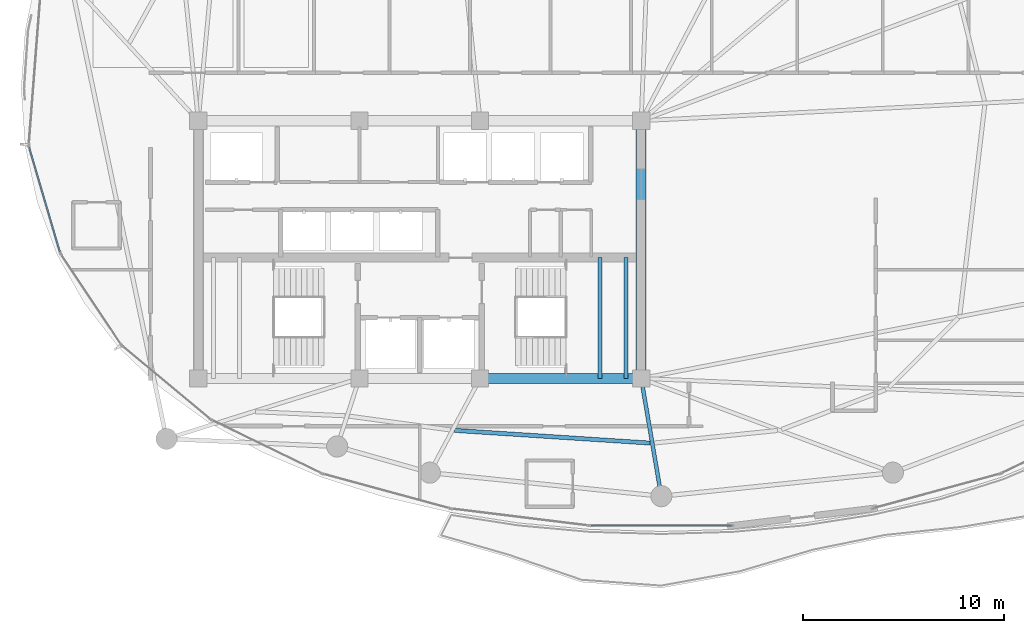
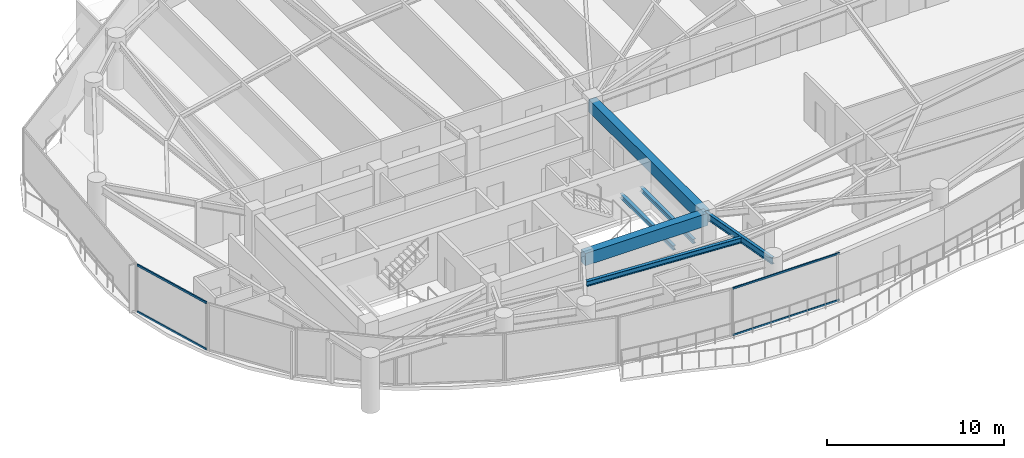
# One storey, part 7 of 31: 6 beams, 4 members, 2 elements without a shape of their own.
"""IFC4 building model written with IfcOpenShell, lengths in metres."""

import ifcopenshell
import ifcopenshell.guid

model = None  # the IFC model being written
_history = None  # IfcOwnerHistory: only IFC2X3 demands one
_inside = {}  # id of a spatial element -> (the spatial element, [elements in it])
_under = {}  # id of a project, library or spatial element -> (it, [spatial elements below it])
_declared = {}  # id of a project -> (the project, [libraries it declares])
_typed = {}  # id of a type object -> (the type object, [elements of that type])
_made_of = {}  # id of a material, layer set ... -> (it, [elements and type objects made of it])


def new_model(schema):
    """Start an empty IFC model of exactly this schema.

    Asked for "IFC4X3", IfcOpenShell would pick the latest addendum, in which some entities
    have other attributes; the version numbers below select the first issue.
    IFC2X3 requires an IfcOwnerHistory on every rooted entity: one is made here for all.
    """
    global model, _history
    if schema == "IFC4X3":
        model = ifcopenshell.file(schema_version=(4, 3, 0, 0))
    else:
        model = ifcopenshell.file(schema=schema)
    _inside.clear()
    _under.clear()
    _declared.clear()
    _typed.clear()
    _made_of.clear()
    _history = None
    if model.schema == "IFC2X3":
        org = make("IfcOrganization", Name="unknown")
        user = make(
            "IfcPersonAndOrganization",
            ThePerson=make("IfcPerson", FamilyName="unknown"),
            TheOrganization=org,
        )
        app = make(
            "IfcApplication",
            ApplicationDeveloper=org,
            Version="unknown",
            ApplicationFullName="unknown",
            ApplicationIdentifier="unknown",
        )
        _history = make(
            "IfcOwnerHistory",
            OwningUser=user,
            OwningApplication=app,
            ChangeAction="ADDED",
            CreationDate=0,
        )
    return model


def make(cls, **values):
    """One entity of the class cls with the attributes given. An attribute that is None is left unset."""
    return model.create_entity(
        cls, **{name: value for name, value in values.items() if value is not None}
    )


def rooted(cls, **values):
    """An entity with a GlobalId (a new one), such as an element, a storey or a relation."""
    return make(cls, GlobalId=ifcopenshell.guid.new(), OwnerHistory=_history, **values)


def si_unit(unit_type, name, prefix=None):
    """IfcSIUnit, for example si_unit("LENGTHUNIT", "METRE", prefix="MILLI")."""
    return make("IfcSIUnit", UnitType=unit_type, Prefix=prefix, Name=name)


def assignment(units):
    """IfcUnitAssignment: the units of a project."""
    return None if units is None else make("IfcUnitAssignment", Units=units)


def point(xyz):
    """IfcCartesianPoint."""
    return None if xyz is None else make("IfcCartesianPoint", Coordinates=xyz)


def direction(xyz):
    """IfcDirection."""
    return None if xyz is None else make("IfcDirection", DirectionRatios=xyz)


def frame(location, z_axis=None, x_axis=None):
    """IfcAxis2Placement3D, a coordinate frame: its origin and axes. An axis left out is left unset."""
    return make(
        "IfcAxis2Placement3D",
        Location=point(location),
        Axis=direction(z_axis),
        RefDirection=direction(x_axis),
    )


def frame_2d(location, x_axis=None):
    """IfcAxis2Placement2D, a coordinate frame in the plane: its origin and x axis."""
    return make(
        "IfcAxis2Placement2D", Location=point(location), RefDirection=direction(x_axis)
    )


def origin():
    """The frame at (0, 0, 0) with its axes left unset."""
    return frame((0.0, 0.0, 0.0))


def origin_2d():
    """The frame at (0, 0) in the plane with its x axis left unset."""
    return frame_2d((0.0, 0.0))


def place(relative_to, where):
    """IfcLocalPlacement: puts the frame where relative to a parent placement (None: the world)."""
    return make(
        "IfcLocalPlacement", PlacementRelTo=relative_to, RelativePlacement=where
    )


def context(
    kind, dimensions, precision=None, world=None, true_north=None, identifier=None
):
    """IfcGeometricRepresentationContext, for example the 3D "Model" context."""
    return make(
        "IfcGeometricRepresentationContext",
        ContextIdentifier=identifier,
        ContextType=kind,
        CoordinateSpaceDimension=dimensions,
        Precision=precision,
        WorldCoordinateSystem=world,
        TrueNorth=true_north,
    )


def subcontext(parent, identifier, kind, view, scale=None):
    """IfcGeometricRepresentationSubContext, for example "Body" below "Model"."""
    return make(
        "IfcGeometricRepresentationSubContext",
        ContextIdentifier=identifier,
        ContextType=kind,
        ParentContext=parent,
        TargetScale=scale,
        TargetView=view,
    )


def project(units=None, contexts=None):
    """IfcProject with its units and contexts."""
    return rooted(
        "IfcProject",
        Name="project",
        RepresentationContexts=contexts,
        UnitsInContext=assignment(units),
    )


def spatial(cls, under=None, at=None, **own):
    """A site, building, storey or space (cls), placed at a placement, below another one or the project."""
    s = rooted(cls, ObjectPlacement=at, **own)
    if under is not None:
        _under.setdefault(under.id(), (under, []))[1].append(s)
    return s


def profile(cls, at=None, kind="AREA", **sizes):
    """A parametric profile (cls). Its sizes go by their IFC names, for example OverallWidth=200.0."""
    return make(cls, ProfileType=kind, Position=at, **sizes)


def rectangle(**sizes):
    """IfcRectangleProfileDef."""
    return profile("IfcRectangleProfileDef", **sizes)


def hollow_rectangle(**sizes):
    """IfcRectangleHollowProfileDef."""
    return profile("IfcRectangleHollowProfileDef", **sizes)


def i_section(**sizes):
    """IfcIShapeProfileDef."""
    return profile("IfcIShapeProfileDef", **sizes)


def extrude(swept, where, along, depth):
    """IfcExtrudedAreaSolid: the profile swept, set in the frame where, extruded along a direction by depth."""
    return make(
        "IfcExtrudedAreaSolid",
        SweptArea=swept,
        Position=where,
        ExtrudedDirection=direction(along),
        Depth=depth,
    )


def shape(context_of_items, identifier, shape_type, items):
    """IfcShapeRepresentation: the items that make up one representation, for example the "Body"."""
    return make(
        "IfcShapeRepresentation",
        ContextOfItems=context_of_items,
        RepresentationIdentifier=identifier,
        RepresentationType=shape_type,
        Items=items,
    )


def material(Name=None, Category=None):
    """IfcMaterial."""
    return make("IfcMaterial", Name=Name, Category=Category)


def layer(
    of_material, thickness, ventilated=None, Name=None, Category=None, Priority=None
):
    """IfcMaterialLayer: one layer of a wall or slab, of a material (None: an air gap)."""
    return make(
        "IfcMaterialLayer",
        Material=of_material,
        LayerThickness=thickness,
        IsVentilated=ventilated,
        Name=Name,
        Category=Category,
        Priority=Priority,
    )


def layer_set(layers, Name=None):
    """IfcMaterialLayerSet."""
    return make("IfcMaterialLayerSet", MaterialLayers=layers, LayerSetName=Name)


def material_profile(
    of_material, cross_section, Name=None, Category=None, Priority=None
):
    """IfcMaterialProfile: a cross section and its material."""
    return make(
        "IfcMaterialProfile",
        Name=Name,
        Material=of_material,
        Profile=cross_section,
        Priority=Priority,
        Category=Category,
    )


def profile_set(profiles, Name=None, composite=None):
    """IfcMaterialProfileSet."""
    return make(
        "IfcMaterialProfileSet",
        Name=Name,
        MaterialProfiles=profiles,
        CompositeProfile=composite,
    )


def made_of(thing, what):
    """Note that an element or type object is made of a material, layer set ...; save() writes the relation."""
    if what is not None:
        _made_of.setdefault(what.id(), (what, []))[1].append(thing)
    return thing


def type_object(cls, material=None, **own):
    """A type object (cls), such as IfcWallType, which elements share."""
    return made_of(rooted(cls, **own), material)


def element(
    cls,
    number,
    at=None,
    inside=None,
    cuts=None,
    type_object=None,
    material=None,
    context=None,
    identifier="Body",
    shape_type=None,
    held_by="IfcProductDefinitionShape",
    body=None,
    shapes=None,
    **own,
):
    """One element of the class cls, such as IfcWall. Its Tag is "e" and its number.

    at: its placement. inside: the storey or other place that contains it. cuts: it is an
    opening in that element (IfcRelVoidsElement). A single representation is given by context,
    identifier, shape_type and body (its items); several are given by shapes. held_by: the class
    of the entity that holds the representations. save() writes the other relations.
    """
    e = rooted(cls, Tag="e%d" % number, ObjectPlacement=at, **own)
    if body is not None:
        shapes = [shape(context, identifier, shape_type, body)]
    if shapes is not None:
        e.Representation = make(held_by, Representations=shapes)
    if inside is not None:
        _inside.setdefault(inside.id(), (inside, []))[1].append(e)
    if cuts is not None:
        rooted(
            "IfcRelVoidsElement", RelatingBuildingElement=cuts, RelatedOpeningElement=e
        )
    if type_object is not None:
        _typed.setdefault(type_object.id(), (type_object, []))[1].append(e)
    return made_of(e, material)


def aggregate(whole, parts):
    """IfcRelAggregates: a whole, such as a stair, and the parts it consists of."""
    return rooted("IfcRelAggregates", RelatingObject=whole, RelatedObjects=parts)


def save(model, path):
    """Write the relations noted so far, then the file.

    IfcRelAggregates (storeys below a building ...), IfcRelContainedInSpatialStructure (elements
    in a storey), IfcRelDefinesByType, IfcRelAssociatesMaterial and IfcRelDeclares: one each for
    every whole, place, type object, material and project.
    """
    for whole, parts in _under.values():
        aggregate(whole, parts)
    for where, things in _inside.values():
        rooted(
            "IfcRelContainedInSpatialStructure",
            RelatedElements=things,
            RelatingStructure=where,
        )
    for kind, things in _typed.values():
        rooted("IfcRelDefinesByType", RelatedObjects=things, RelatingType=kind)
    for what, things in _made_of.values():
        rooted("IfcRelAssociatesMaterial", RelatedObjects=things, RelatingMaterial=what)
    for by, libraries in _declared.values():
        rooted("IfcRelDeclares", RelatingContext=by, RelatedDefinitions=libraries)
    model.write(path)


model = new_model("IFC4")

# Units and contexts
model_context = context("Model", 3, precision=1e-05, world=origin(), true_north=direction((0.0, 1.0)))
body_context = subcontext(model_context, "Body", "Model", "MODEL_VIEW")
ifc_project = project(units=[si_unit("LENGTHUNIT", "METRE"), si_unit("AREAUNIT", "SQUARE_METRE"), si_unit("VOLUMEUNIT", "CUBIC_METRE"), si_unit("PLANEANGLEUNIT", "RADIAN"), si_unit("MASSUNIT", "GRAM", prefix="KILO")], contexts=[model_context])

# Site, building, storey
site_placement = place(None, origin())
site = spatial("IfcSite", under=ifc_project, at=site_placement, CompositionType="ELEMENT")
building_placement = place(site_placement, origin())
building = spatial("IfcBuilding", under=site, at=building_placement, Name="Kazevale Care Tower and Concert Hall", CompositionType="ELEMENT")
storey_placement = place(building_placement, frame((0.0, 0.0, 187.199951171875)))
storey = spatial("IfcBuildingStorey", under=building, at=storey_placement, Name="L49", CompositionType="ELEMENT", Elevation=187.199951171875)

# Curtain wall, members
ifc_material_1 = material(Name="Aluminium 6063-T6 and Low-E Glass", Category="aluminium")
ifc_layer_1 = layer(ifc_material_1, 0.179931640625)
ifc_layer_set_1 = layer_set([ifc_layer_1], Name="Aluminium 6063-T6 and Low-E Glass")
curtain_wall_type_1 = type_object("IfcCurtainWallType", Name="Waist & Upper Residential Curtain Wall CW-4", PredefinedType="NOTDEFINED", material=ifc_layer_set_1)
curtain_wall_1_placement = place(storey_placement, origin())
curtain_wall_1 = element("IfcCurtainWall", 1, at=curtain_wall_1_placement, inside=storey, type_object=curtain_wall_type_1, Name="cw:L49:f12", PredefinedType="NOTDEFINED")
ifc_material_2 = material(Name="Aluminium 6063-T6", Category="aluminium")
ifc_material_profile_1 = material_profile(ifc_material_2, hollow_rectangle(XDim=0.080078125, YDim=0.139892578125, WallThickness=0.00390625, at=origin_2d()), Name="ALU80x140x4")
ifc_profile_set_1 = profile_set([ifc_material_profile_1], Name="Aluminium 6063-T6")
member_type_1 = type_object("IfcMemberType", Name="CW-4 Transom ALU80x140x4", PredefinedType="USERDEFINED", material=ifc_profile_set_1)
member_1_placement = place(storey_placement, frame((15.12548828125, 29.897705078125, 0.0400390625), z_axis=(-0.282102705943, 0.95938421047, 0.0), x_axis=(-0.95938421047, -0.282102705943, 0.0)))
member_1 = element("IfcMember", 2, at=member_1_placement, type_object=member_type_1, Name="CW-4 transom 1.1", ObjectType="TRANSOM", PredefinedType="USERDEFINED", context=body_context, shape_type="SweptSolid", body=[
    extrude(hollow_rectangle(XDim=0.080078125, YDim=0.139892578125, WallThickness=0.00390625, at=origin_2d()), origin(), (0.0, 0.0, 1.0), 5.402099609375),
])
member_2_placement = place(storey_placement, frame((15.12548828125, 29.897705078125, 3.239990234375), z_axis=(-0.282102705943, 0.95938421047, 0.0), x_axis=(-0.95938421047, -0.282102705943, 0.0)))
member_2 = element("IfcMember", 3, at=member_2_placement, type_object=member_type_1, Name="CW-4 transom 1.2", ObjectType="TRANSOM", PredefinedType="USERDEFINED", context=body_context, shape_type="SweptSolid", body=[
    extrude(hollow_rectangle(XDim=0.080078125, YDim=0.139892578125, WallThickness=0.00390625, at=origin_2d()), origin(), (0.0, 0.0, 1.0), 5.402099609375),
])
aggregate(curtain_wall_1, [member_1, member_2])

ifc_layer_2 = layer(ifc_material_1, 0.179931640625)
ifc_layer_set_2 = layer_set([ifc_layer_2], Name="Aluminium 6063-T6 and Low-E Glass")
curtain_wall_type_2 = type_object("IfcCurtainWallType", Name="Sheltered Concave Balcony Curtain Wall CW-5", PredefinedType="NOTDEFINED", material=ifc_layer_set_2)
curtain_wall_2_placement = place(storey_placement, origin())
curtain_wall_2 = element("IfcCurtainWall", 4, at=curtain_wall_2_placement, inside=storey, type_object=curtain_wall_type_2, Name="cw:L49:f06", PredefinedType="NOTDEFINED")
ifc_material_profile_2 = material_profile(ifc_material_2, hollow_rectangle(XDim=0.074951171875, YDim=0.1201171875, WallThickness=0.00390625, at=origin_2d()), Name="ALU75x120x4")
ifc_profile_set_2 = profile_set([ifc_material_profile_2], Name="Aluminium 6063-T6")
member_type_2 = type_object("IfcMemberType", Name="CW-5 Transom ALU75x120x4", PredefinedType="USERDEFINED", material=ifc_profile_set_2)
member_3_placement = place(storey_placement, frame((48.47509765625, 16.284912109375, 0.03759765625), z_axis=(-1.0, 0.0, 0.0), x_axis=(0.0, -1.0, 0.0)))
member_3 = element("IfcMember", 5, at=member_3_placement, type_object=member_type_2, Name="CW-5 transom 1.1", ObjectType="TRANSOM", PredefinedType="USERDEFINED", context=body_context, shape_type="SweptSolid", body=[
    extrude(hollow_rectangle(XDim=0.074951171875, YDim=0.1201171875, WallThickness=0.00390625, at=origin_2d()), origin(), (0.0, 0.0, 1.0), 6.9501953125),
])
member_4_placement = place(storey_placement, frame((48.47509765625, 16.284912109375, 3.242431640625), z_axis=(-1.0, 0.0, 0.0), x_axis=(0.0, -1.0, 0.0)))
member_4 = element("IfcMember", 6, at=member_4_placement, type_object=member_type_2, Name="CW-5 transom 1.2", ObjectType="TRANSOM", PredefinedType="USERDEFINED", context=body_context, shape_type="SweptSolid", body=[
    extrude(hollow_rectangle(XDim=0.074951171875, YDim=0.1201171875, WallThickness=0.00390625, at=origin_2d()), origin(), (0.0, 0.0, 1.0), 6.9501953125),
])
aggregate(curtain_wall_2, [member_3, member_4])

# Beams
ifc_material_3 = material(Name="Concrete C60", Category="concrete")
ifc_material_profile_3 = material_profile(ifc_material_3, rectangle(XDim=0.5, YDim=0.85009765625, at=origin_2d()), Name="RC-B500x850")
ifc_profile_set_3 = profile_set([ifc_material_profile_3], Name="Concrete C60")
beam_type_1 = type_object("IfcBeamType", Name="Core Coupling Beam RC500x850", PredefinedType="LINTEL", material=ifc_profile_set_3)
beam_1_placement = place(storey_placement, frame((36.0, 23.60009765625, 2.85498046875), z_axis=(1.0, 0.0, 0.0), x_axis=(0.0, 1.0, 0.0)))
element("IfcBeam", 7, at=beam_1_placement, inside=storey, type_object=beam_type_1, Name="beam:L49:coretie:3", PredefinedType="LINTEL", context=body_context, shape_type="SweptSolid", body=[
    extrude(rectangle(XDim=0.5, YDim=0.85009765625, at=origin_2d()), origin(), (0.0, 0.0, 1.0), 8.0),
])
beam_2_placement = place(storey_placement, frame((44.0, 23.60009765625, 2.85498046875), z_axis=(0.0, 1.0, 0.0), x_axis=(-1.0, 0.0, 0.0)))
element("IfcBeam", 8, at=beam_2_placement, inside=storey, type_object=beam_type_1, Name="beam:L49:coretie:4", PredefinedType="LINTEL", context=body_context, shape_type="SweptSolid", body=[
    extrude(rectangle(XDim=0.5, YDim=0.85009765625, at=origin_2d()), origin(), (0.0, 0.0, 1.0), 12.7998046875),
])
ifc_material_4 = material(Name="Steel ASTM A572 Gr 50", Category="steel")
ifc_material_profile_4 = material_profile(ifc_material_4, i_section(OverallWidth=0.19091796875, OverallDepth=0.4599609375, WebThickness=0.010009765625, FlangeThickness=0.01611328125, at=origin_2d()), Name="W460x82")
ifc_profile_set_4 = profile_set([ifc_material_profile_4], Name="Steel ASTM A572 Gr 50")
beam_type_2 = type_object("IfcBeamType", Name="Radial Floor Beam W460x82", PredefinedType="BEAM", material=ifc_profile_set_4)
beam_3_placement = place(storey_placement, frame((44.0, 23.60009765625, 3.050048828125), z_axis=(0.168493389607, -0.985702783631, 0.0), x_axis=(0.985702783631, 0.168493389607, 0.0)))
element("IfcBeam", 9, at=beam_3_placement, inside=storey, type_object=beam_type_2, Name="beam:L49:rad:13", PredefinedType="BEAM", context=body_context, shape_type="SweptSolid", body=[
    extrude(i_section(OverallWidth=0.19091796875, OverallDepth=0.4599609375, WebThickness=0.010009765625, FlangeThickness=0.01611328125, at=origin_2d()), origin(), (0.0, 0.0, 1.0), 5.93505859375),
])
ifc_material_profile_5 = material_profile(ifc_material_4, i_section(OverallWidth=0.205078125, OverallDepth=0.35400390625, WebThickness=0.009521484375, FlangeThickness=0.016845703125, at=origin_2d()), Name="W360x79")
ifc_profile_set_5 = profile_set([ifc_material_profile_5], Name="Steel ASTM A572 Gr 50")
beam_type_3 = type_object("IfcBeamType", Name="Secondary Floor Joist W360x79", PredefinedType="JOIST", material=ifc_profile_set_5)
beam_4_placement = place(storey_placement, frame((34.72998046875, 21.01904296875, 3.10302734375), z_axis=(0.997903161374, -0.064724651559, 0.0), x_axis=(0.064724651559, 0.997903161374, 0.0)))
element("IfcBeam", 10, at=beam_4_placement, inside=storey, type_object=beam_type_3, Name="beam:L49:joist:12", PredefinedType="JOIST", context=body_context, shape_type="SweptSolid", body=[
    extrude(i_section(OverallWidth=0.205078125, OverallDepth=0.35400390625, WebThickness=0.009521484375, FlangeThickness=0.016845703125, at=origin_2d()), origin(), (0.0, 0.0, 1.0), 9.735595703125),
])
ifc_material_profile_6 = material_profile(ifc_material_4, i_section(OverallWidth=0.202880859375, OverallDepth=0.302978515625, WebThickness=0.007568359375, FlangeThickness=0.01318359375, at=origin_2d()), Name="W310x60")
ifc_profile_set_6 = profile_set([ifc_material_profile_6], Name="Steel ASTM A572 Gr 50")
beam_type_4 = type_object("IfcBeamType", Name="Stair & Balcony Trimmer W310x60", PredefinedType="BEAM", material=ifc_profile_set_6)
for number, where, z_axis, x_axis, name in (
    (11, (41.949951171875, 23.60009765625, 1.448486328125), (0.0, 1.0, 0.0), (-1.0, 0.0, 0.0), "beam:L49:sttrim:ST2"),
    (12, (43.25, 23.60009765625, 1.448486328125), (0.0, 1.0, 0.0), (-1.0, 0.0, 0.0), "beam:L49:sttrim:ST2b"),
):
    element("IfcBeam", number, at=place(storey_placement, frame(where, z_axis=z_axis, x_axis=x_axis)), inside=storey, type_object=beam_type_4, Name=name, PredefinedType="BEAM", context=body_context, shape_type="SweptSolid", body=[
        extrude(i_section(OverallWidth=0.202880859375, OverallDepth=0.302978515625, WebThickness=0.007568359375, FlangeThickness=0.01318359375, at=origin_2d()), origin(), (0.0, 0.0, 1.0), 6.0),
    ])

save(model, "model.ifc")
